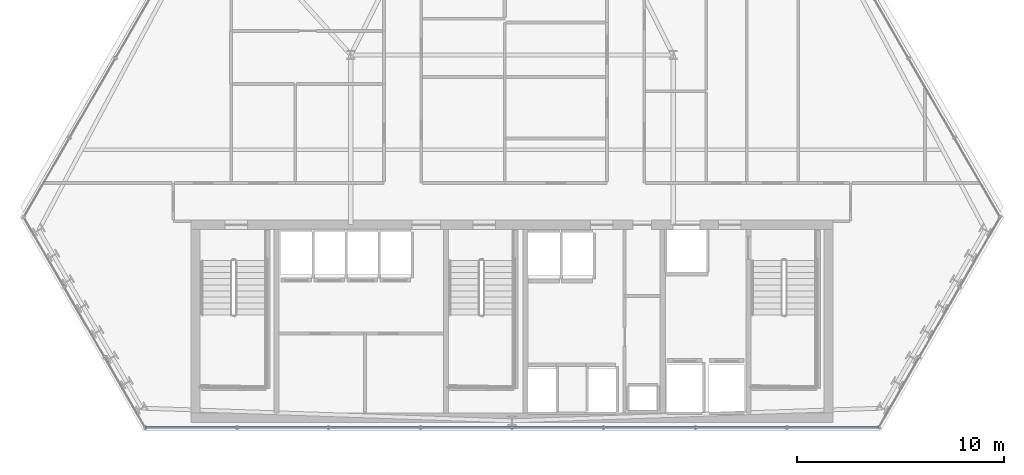
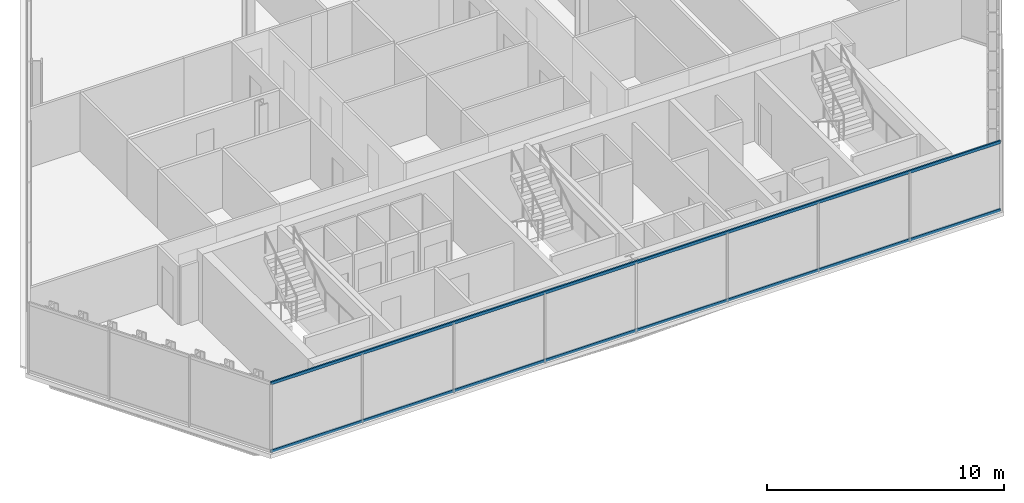
# One storey, part 8 of 31: 2 members, 1 element without a shape of its own.
"""IFC4 building model written with IfcOpenShell, lengths in metres."""

from ifc_helpers import new_model, si_unit, direction, frame, origin, origin_2d, place, context, subcontext, project, spatial, hollow_rectangle, extrude, material, layer, layer_set, material_profile, profile_set, type_object, element, aggregate, save


model = new_model("IFC4")

# Units and contexts
model_context = context("Model", 3, precision=1e-05, world=origin(), true_north=direction((0.0, 1.0)))
body_context = subcontext(model_context, "Body", "Model", "MODEL_VIEW")
ifc_project = project(units=[si_unit("LENGTHUNIT", "METRE"), si_unit("AREAUNIT", "SQUARE_METRE"), si_unit("VOLUMEUNIT", "CUBIC_METRE"), si_unit("PLANEANGLEUNIT", "RADIAN"), si_unit("MASSUNIT", "GRAM", prefix="KILO")], contexts=[model_context])

# Site, building, storey
site_placement = place(None, origin())
site = spatial("IfcSite", under=ifc_project, at=site_placement, CompositionType="ELEMENT")
building_placement = place(site_placement, origin())
building = spatial("IfcBuilding", under=site, at=building_placement, Name="Ndaravel Arena Tower", CompositionType="ELEMENT")
storey_placement = place(building_placement, frame((0.0, 0.0, 138.39990234375)))
storey = spatial("IfcBuildingStorey", under=building, at=storey_placement, Name="L32", CompositionType="ELEMENT", Elevation=138.39990234375)

# Curtain wall, members
ifc_material_1 = material(Name="Aluminium", Category="aluminium")
ifc_layer = layer(ifc_material_1, 0.179931640625)
ifc_layer_set = layer_set([ifc_layer], Name="Aluminium")
curtain_wall_type = type_object("IfcCurtainWallType", Name="CW-SYS-03", PredefinedType="NOTDEFINED", material=ifc_layer_set)
curtain_wall_placement = place(storey_placement, origin())
curtain_wall = element("IfcCurtainWall", 1, at=curtain_wall_placement, inside=storey, type_object=curtain_wall_type, Name="L32 Faceted Crystal Curtain Wall CW-L32-E01", PredefinedType="NOTDEFINED")
ifc_material_2 = material(Name="Aluminium", Category="aluminium")
ifc_material_profile = material_profile(ifc_material_2, hollow_rectangle(XDim=0.074951171875, YDim=0.14990234375, WallThickness=0.00390625, at=origin_2d()), Name="CW TRANSOM 75x150x4")
ifc_profile_set = profile_set([ifc_material_profile], Name="Aluminium")
member_type = type_object("IfcMemberType", Name="MEM-CW-TRN150", PredefinedType="USERDEFINED", material=ifc_profile_set)
member_1_placement = place(storey_placement, frame((24.23974609375, 5.159912109375, 0.0400390625), z_axis=(1.0, 0.0, 0.0), x_axis=(0.0, 1.0, 0.0)))
member_1 = element("IfcMember", 2, at=member_1_placement, type_object=member_type, Name="CW-L32-E01 Transom 01", ObjectType="TRANSOM", PredefinedType="USERDEFINED", context=body_context, shape_type="SweptSolid", body=[
    extrude(hollow_rectangle(XDim=0.074951171875, YDim=0.14990234375, WallThickness=0.00390625, at=origin_2d()), origin(), (0.0, 0.0, 1.0), 35.5205078125),
])
member_2_placement = place(storey_placement, frame((24.23974609375, 5.159912109375, 3.5400390625), z_axis=(1.0, 0.0, 0.0), x_axis=(0.0, 1.0, 0.0)))
member_2 = element("IfcMember", 3, at=member_2_placement, type_object=member_type, Name="CW-L32-E01 Transom 02", ObjectType="TRANSOM", PredefinedType="USERDEFINED", context=body_context, shape_type="SweptSolid", body=[
    extrude(hollow_rectangle(XDim=0.074951171875, YDim=0.14990234375, WallThickness=0.00390625, at=origin_2d()), origin(), (0.0, 0.0, 1.0), 35.5205078125),
])
aggregate(curtain_wall, [member_1, member_2])

save(model, "model.ifc")
